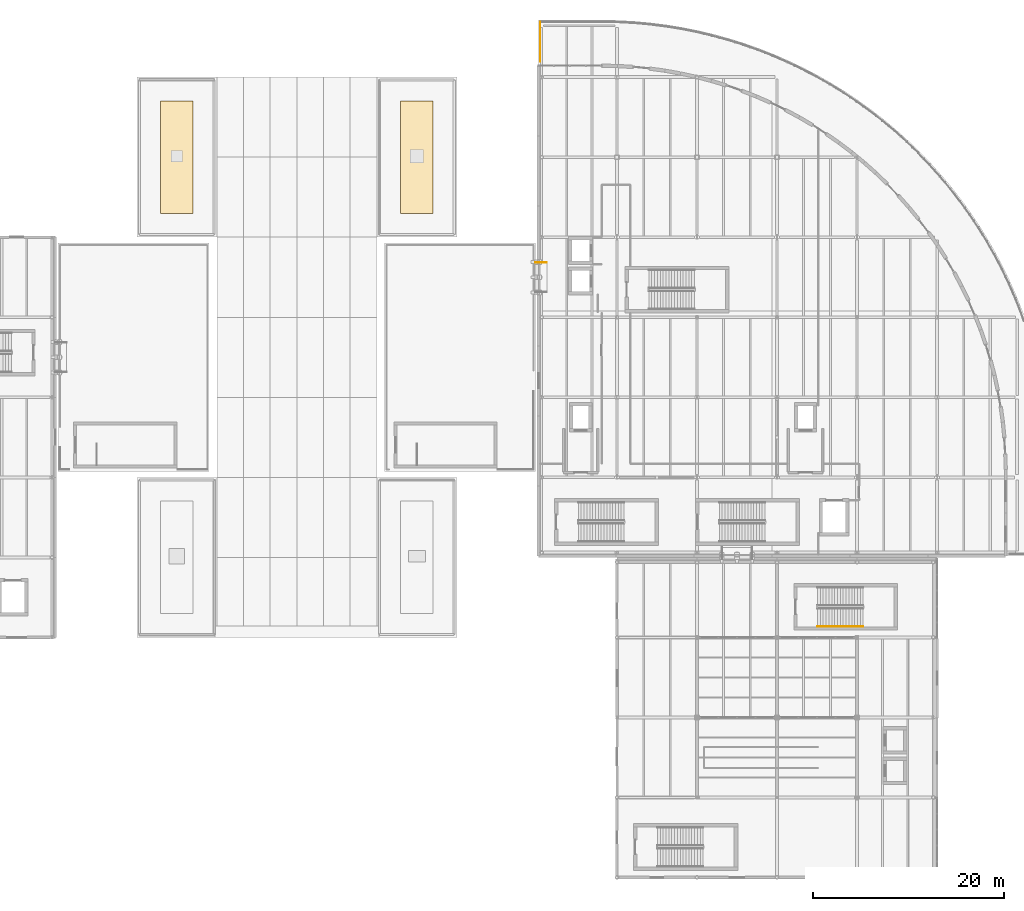
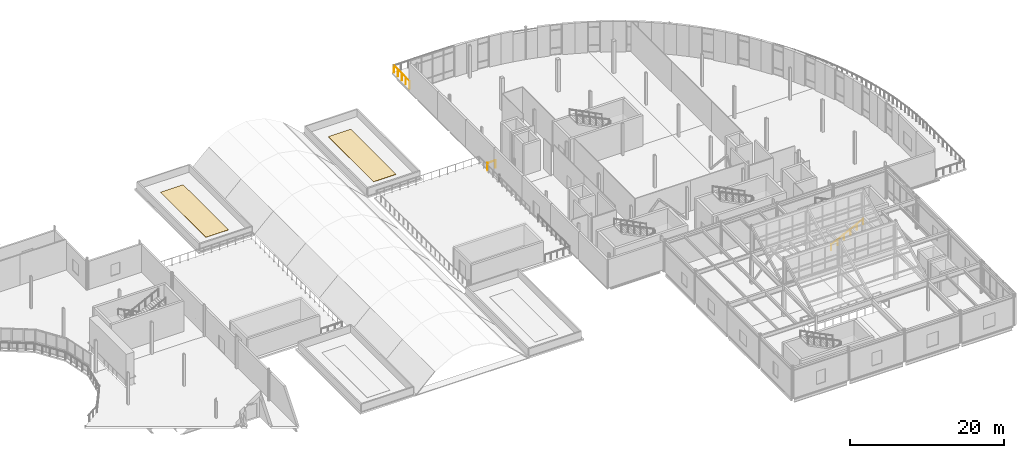
# One storey, part 88 of 91: 3 railings, 2 coverings.
"""IFC4 building model written with IfcOpenShell, lengths in metres."""

from ifc_helpers import new_model, si_unit, direction, frame, origin, origin_2d, place, context, subcontext, project, spatial, polyline, circle, outline, extrude, material, layer, layer_set, type_object, element, save


model = new_model("IFC4")

# Units and contexts
model_context = context("Model", 3, precision=1e-05, world=origin(), true_north=direction((0.0, 1.0)))
body_context = subcontext(model_context, "Body", "Model", "MODEL_VIEW")
ifc_project = project(units=[si_unit("LENGTHUNIT", "METRE"), si_unit("AREAUNIT", "SQUARE_METRE"), si_unit("VOLUMEUNIT", "CUBIC_METRE"), si_unit("PLANEANGLEUNIT", "RADIAN"), si_unit("MASSUNIT", "GRAM", prefix="KILO"), si_unit("THERMODYNAMICTEMPERATUREUNIT", "KELVIN")], contexts=[model_context])

# Site, building, storey
site_placement = place(None, origin())
site = spatial("IfcSite", under=ifc_project, at=site_placement, CompositionType="ELEMENT")
building_placement = place(site_placement, origin())
building = spatial("IfcBuilding", under=site, at=building_placement, Name="Lustrewick Department Store", CompositionType="ELEMENT")
storey_placement = place(building_placement, frame((0.0, 0.0, 21.60009765625)))
storey = spatial("IfcBuildingStorey", under=building, at=storey_placement, Name="L05", CompositionType="ELEMENT", Elevation=21.60009765625)

# Coverings
ifc_material_1 = material(Name="Single-ply TPO insulated roofing membrane", Category="plastic")
ifc_layer = layer(ifc_material_1, 0.034912109375, Name="Single-ply TPO insulated roofing membrane")
ifc_layer_set = layer_set([ifc_layer], Name="Single-ply TPO insulated roofing membrane")
covering_type = type_object("IfcCoveringType", Name="COV-ROOF", PredefinedType="ROOFING", material=ifc_layer_set)
covering_1_placement = place(storey_placement, origin())
element("IfcCovering", 1, at=covering_1_placement, inside=storey, type_object=covering_type, Name="L05 TPO Roof Membrane 01", PredefinedType="ROOFING", context=body_context, shape_type="SweptSolid", body=[
    extrude(outline(polyline([(73.10009765625, 98.300048828125), (69.699951171875, 98.300048828125), (69.699951171875, 86.5), (73.10009765625, 86.5), (73.10009765625, 98.300048828125)])), origin(), (0.0, 0.0, 1.0), 0.034912109375),
])
covering_2_placement = place(storey_placement, origin())
element("IfcCovering", 2, at=covering_2_placement, inside=storey, type_object=covering_type, Name="L05 TPO Roof Membrane 02", PredefinedType="ROOFING", context=body_context, shape_type="SweptSolid", body=[
    extrude(outline(polyline([(98.300048828125, 98.300048828125), (94.89990234375, 98.300048828125), (94.89990234375, 86.5), (98.300048828125, 86.5), (98.300048828125, 98.300048828125)])), origin(), (0.0, 0.0, 1.0), 0.034912109375),
])

# Railings
ifc_material_2 = material(Name="Laminated safety glass and bronze atrium balustrade", Category="glass")
railing_type_1 = type_object("IfcRailingType", Name="RL-BAL", PredefinedType="BALUSTRADE", material=ifc_material_2)
railing_1_placement = place(storey_placement, frame((109.0400390625, 81.360107421875, 0.0)))
element("IfcRailing", 3, at=railing_1_placement, inside=storey, type_object=railing_type_1, Name="L05 Skybridge SB24 North Guard 0051", PredefinedType="BALUSTRADE", context=body_context, shape_type="SweptSolid", body=[
    extrude(circle(Radius=0.02392578125, at=origin_2d()), frame((0.0, 0.0, 1.17578125), z_axis=(1.0, 0.0, 0.0), x_axis=(0.0, 1.0, 0.0)), (0.0, 0.0, 1.0), 1.18994140625),
    extrude(circle(Radius=0.02099609375, at=origin_2d()), origin(), (0.0, 0.0, 1.0), 1.15185546875),
    extrude(circle(Radius=0.02099609375, at=origin_2d()), frame((1.18994140625, 0.0, 0.0)), (0.0, 0.0, 1.0), 1.15185546875),
])
ifc_material_3 = material(Name="Laminated glass and anodized aluminium guardrail", Category="aluminium")
railing_type_2 = type_object("IfcRailingType", Name="RL-EXT", PredefinedType="GUARDRAIL", material=ifc_material_3)
railing_2_placement = place(storey_placement, frame((109.550048828125, 102.449951171875, 0.0)))
element("IfcRailing", 4, at=railing_2_placement, inside=storey, type_object=railing_type_2, Name="L05 Terrace Perimeter Guardrail 0015", PredefinedType="GUARDRAIL", context=body_context, shape_type="SweptSolid", body=[
    extrude(circle(Radius=0.02392578125, at=origin_2d()), frame((0.0, 0.0, 1.17578125), z_axis=(0.0, 1.0, 0.0), x_axis=(-1.0, 0.0, 0.0)), (0.0, 0.0, 1.0), 4.150146484375),
    extrude(circle(Radius=0.02099609375, at=origin_2d()), origin(), (0.0, 0.0, 1.0), 1.15185546875),
    extrude(circle(Radius=0.02099609375, at=origin_2d()), frame((0.0, 1.03759765625, 0.0)), (0.0, 0.0, 1.0), 1.15185546875),
    extrude(circle(Radius=0.02099609375, at=origin_2d()), frame((0.0, 2.0751953125, 0.0)), (0.0, 0.0, 1.0), 1.15185546875),
    extrude(circle(Radius=0.02099609375, at=origin_2d()), frame((0.0, 3.112548828125, 0.0)), (0.0, 0.0, 1.0), 1.15185546875),
    extrude(circle(Radius=0.02099609375, at=origin_2d()), frame((0.0, 4.150146484375, 0.0)), (0.0, 0.0, 1.0), 1.15185546875),
])
ifc_material_4 = material(Name="Brushed stainless steel wall handrail", Category="steel")
railing_type_3 = type_object("IfcRailingType", Name="RL-STH", PredefinedType="HANDRAIL", material=ifc_material_4)
railing_3_placement = place(storey_placement, frame((138.64990234375, 43.14990234375, 0.14990234375)))
element("IfcRailing", 5, at=railing_3_placement, inside=storey, type_object=railing_type_3, Name="L05 ST08 Stair Handrail 1", PredefinedType="HANDRAIL", context=body_context, shape_type="SweptSolid", body=[
    extrude(circle(Radius=0.02392578125, at=origin_2d()), frame((0.0, 0.0, 0.8759765625), z_axis=(0.894436289399, 0.0, 0.44719539824), x_axis=(0.0, 1.0, 0.0)), (0.0, 0.0, 1.0), 5.366455078125),
    extrude(circle(Radius=0.02099609375, at=origin_2d()), origin(), (0.0, 0.0, 1.0), 0.851806640625),
    extrude(circle(Radius=0.02099609375, at=origin_2d()), frame((0.9599609375, 0.0, 0.47998046875)), (0.0, 0.0, 1.0), 0.851806640625),
    extrude(circle(Radius=0.02099609375, at=origin_2d()), frame((1.919921875, 0.0, 0.9599609375)), (0.0, 0.0, 1.0), 0.851806640625),
    extrude(circle(Radius=0.02099609375, at=origin_2d()), frame((2.880126953125, 0.0, 1.43994140625)), (0.0, 0.0, 1.0), 0.851806640625),
    extrude(circle(Radius=0.02099609375, at=origin_2d()), frame((3.840087890625, 0.0, 1.919921875)), (0.0, 0.0, 1.0), 0.851806640625),
    extrude(circle(Radius=0.02099609375, at=origin_2d()), frame((4.800048828125, 0.0, 2.39990234375)), (0.0, 0.0, 1.0), 0.851806640625),
])

save(model, "model.ifc")
